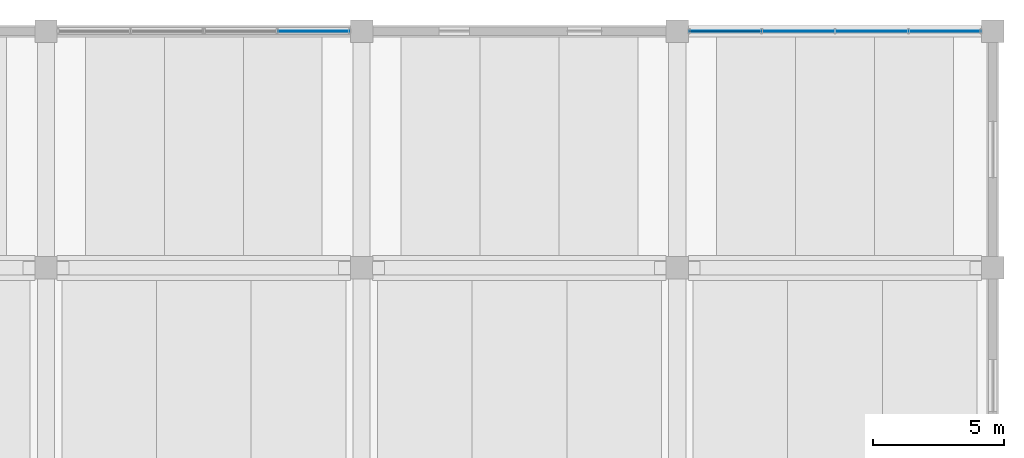
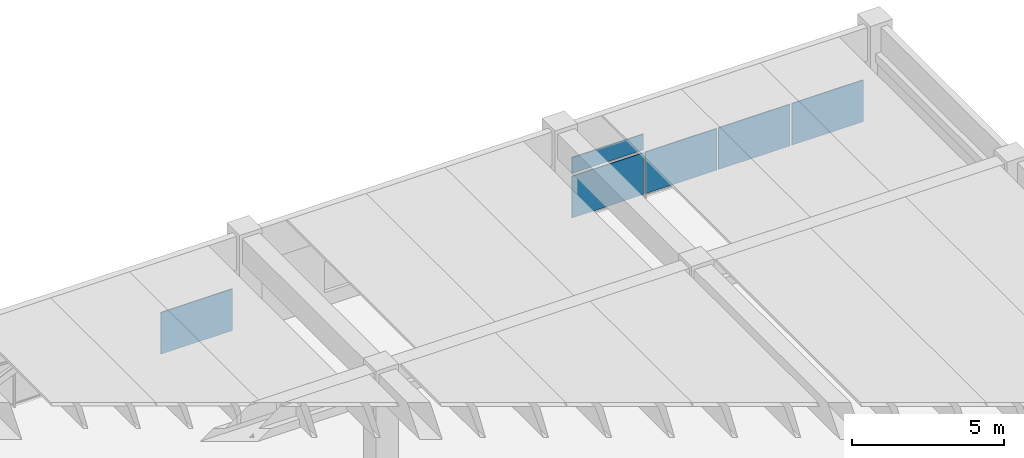
# One storey, part 32 of 50: 6 plates, 2 elements without a shape of their own.
"""IFC4 building model written with IfcOpenShell, lengths in metres."""

from ifc_helpers import new_model, si_unit, direction, frame, origin, origin_2d, place, context, subcontext, project, spatial, rectangle, extrude, material, layer, layer_set, type_object, element, aggregate, save


model = new_model("IFC4")

# Units and contexts
model_context = context("Model", 3, precision=1e-05, world=origin(), true_north=direction((0.0, 1.0)))
body_context = subcontext(model_context, "Body", "Model", "MODEL_VIEW")
ifc_project = project(units=[si_unit("LENGTHUNIT", "METRE"), si_unit("AREAUNIT", "SQUARE_METRE"), si_unit("VOLUMEUNIT", "CUBIC_METRE"), si_unit("PLANEANGLEUNIT", "RADIAN"), si_unit("MASSUNIT", "GRAM", prefix="KILO")], contexts=[model_context])

# Site, building, storey
site_placement = place(None, origin())
site = spatial("IfcSite", under=ifc_project, at=site_placement, CompositionType="ELEMENT")
building_placement = place(site_placement, origin())
building = spatial("IfcBuilding", under=site, at=building_placement, Name="Girod Span Mobility Hub", CompositionType="ELEMENT")
storey_placement = place(building_placement, frame((0.0, 0.0, 5.39990234375)))
storey = spatial("IfcBuildingStorey", under=building, at=storey_placement, Name="L01", CompositionType="ELEMENT", Elevation=5.39990234375)

# Curtain wall, plate
ifc_material_1 = material(Name="Thermally Broken Anodised Aluminium", Category="aluminium")
curtain_wall_type = type_object("IfcCurtainWallType", Name="CW-1115X269", PredefinedType="USERDEFINED", material=ifc_material_1)
curtain_wall_1_placement = place(storey_placement, origin())
curtain_wall_1 = element("IfcCurtainWall", 1, at=curtain_wall_1_placement, inside=storey, type_object=curtain_wall_type, Name="Concourse Storefront CW-L01-N14 L01", ObjectType="CONCOURSE STOREFRONT", PredefinedType="USERDEFINED")
ifc_material_2 = material(Name="Double Low-E Insulated Glazing", Category="glass")
ifc_layer_1 = layer(ifc_material_2, 0.048095703125)
ifc_layer_set_1 = layer_set([ifc_layer_1], Name="Double Low-E Insulated Glazing")
plate_type_1 = type_object("IfcPlateType", Name="PLT-SPN-2719X673X48", PredefinedType="CURTAIN_PANEL", material=ifc_layer_set_1)
plate_1_placement = place(storey_placement, frame((157.817138671875, 114.0, 1.936767578125), z_axis=(0.0, 0.0, 1.0), x_axis=(1.0, 0.0, 0.0)))
plate_1 = element("IfcPlate", 2, at=plate_1_placement, type_object=plate_type_1, Name="Spandrel Glazing Panel CW-L01-N14-S1", PredefinedType="CURTAIN_PANEL", context=body_context, shape_type="SweptSolid", body=[
    extrude(rectangle(XDim=2.724609375, YDim=0.048095703125, at=origin_2d()), origin(), (0.0, 0.0, 1.0), 0.63330078125),
])

curtain_wall_2_placement = place(storey_placement, origin())
curtain_wall_2 = element("IfcCurtainWall", 3, at=curtain_wall_2_placement, inside=storey, type_object=curtain_wall_type, Name="Concourse Storefront CW-L01-N12 L01", ObjectType="CONCOURSE STOREFRONT", PredefinedType="USERDEFINED")
ifc_material_3 = material(Name="Double Low-E Insulated Glazing", Category="glass")
ifc_layer_2 = layer(ifc_material_3, 0.035888671875)
ifc_layer_set_2 = layer_set([ifc_layer_2], Name="Double Low-E Insulated Glazing")
plate_type_2 = type_object("IfcPlateType", Name="PLT-VIS-2719X1937X36", PredefinedType="CURTAIN_PANEL", material=ifc_layer_set_2)
plate_2_placement = place(storey_placement, frame((142.182861328125, 114.0, 0.14013671875), z_axis=(0.0, 0.0, 1.0), x_axis=(1.0, 0.0, 0.0)))
plate_2 = element("IfcPlate", 4, at=plate_2_placement, type_object=plate_type_2, Name="Vision Glazing Panel CW-L01-N12-V4", PredefinedType="CURTAIN_PANEL", context=body_context, shape_type="SweptSolid", body=[
    extrude(rectangle(XDim=2.724609375, YDim=0.035888671875, at=origin_2d()), origin(), (0.0, 0.0, 1.0), 1.6767578125),
])
aggregate(curtain_wall_2, [plate_2])

# Plate
plate_3_placement = place(storey_placement, frame((157.817138671875, 114.0, 0.14013671875), z_axis=(0.0, 0.0, 1.0), x_axis=(1.0, 0.0, 0.0)))
plate_3 = element("IfcPlate", 5, at=plate_3_placement, type_object=plate_type_2, Name="Vision Glazing Panel CW-L01-N14-V1", PredefinedType="CURTAIN_PANEL", context=body_context, shape_type="SweptSolid", body=[
    extrude(rectangle(XDim=2.724609375, YDim=0.035888671875, at=origin_2d()), origin(), (0.0, 0.0, 1.0), 1.6767578125),
])

plate_4_placement = place(storey_placement, frame((160.605712890625, 114.0, 0.14013671875), z_axis=(0.0, 0.0, 1.0), x_axis=(1.0, 0.0, 0.0)))
plate_4 = element("IfcPlate", 6, at=plate_4_placement, type_object=plate_type_2, Name="Vision Glazing Panel CW-L01-N14-V2", PredefinedType="CURTAIN_PANEL", context=body_context, shape_type="SweptSolid", body=[
    extrude(rectangle(XDim=2.724609375, YDim=0.035888671875, at=origin_2d()), origin(), (0.0, 0.0, 1.0), 1.6767578125),
])

plate_5_placement = place(storey_placement, frame((163.394287109375, 114.0, 0.14013671875), z_axis=(0.0, 0.0, 1.0), x_axis=(1.0, 0.0, 0.0)))
plate_5 = element("IfcPlate", 7, at=plate_5_placement, type_object=plate_type_2, Name="Vision Glazing Panel CW-L01-N14-V3", PredefinedType="CURTAIN_PANEL", context=body_context, shape_type="SweptSolid", body=[
    extrude(rectangle(XDim=2.724609375, YDim=0.035888671875, at=origin_2d()), origin(), (0.0, 0.0, 1.0), 1.6767578125),
])

plate_6_placement = place(storey_placement, frame((166.182861328125, 114.0, 0.14013671875), z_axis=(0.0, 0.0, 1.0), x_axis=(1.0, 0.0, 0.0)))
plate_6 = element("IfcPlate", 8, at=plate_6_placement, type_object=plate_type_2, Name="Vision Glazing Panel CW-L01-N14-V4", PredefinedType="CURTAIN_PANEL", context=body_context, shape_type="SweptSolid", body=[
    extrude(rectangle(XDim=2.724609375, YDim=0.035888671875, at=origin_2d()), origin(), (0.0, 0.0, 1.0), 1.6767578125),
])

aggregate(curtain_wall_1, [plate_3, plate_1, plate_4, plate_5, plate_6])

save(model, "model.ifc")
